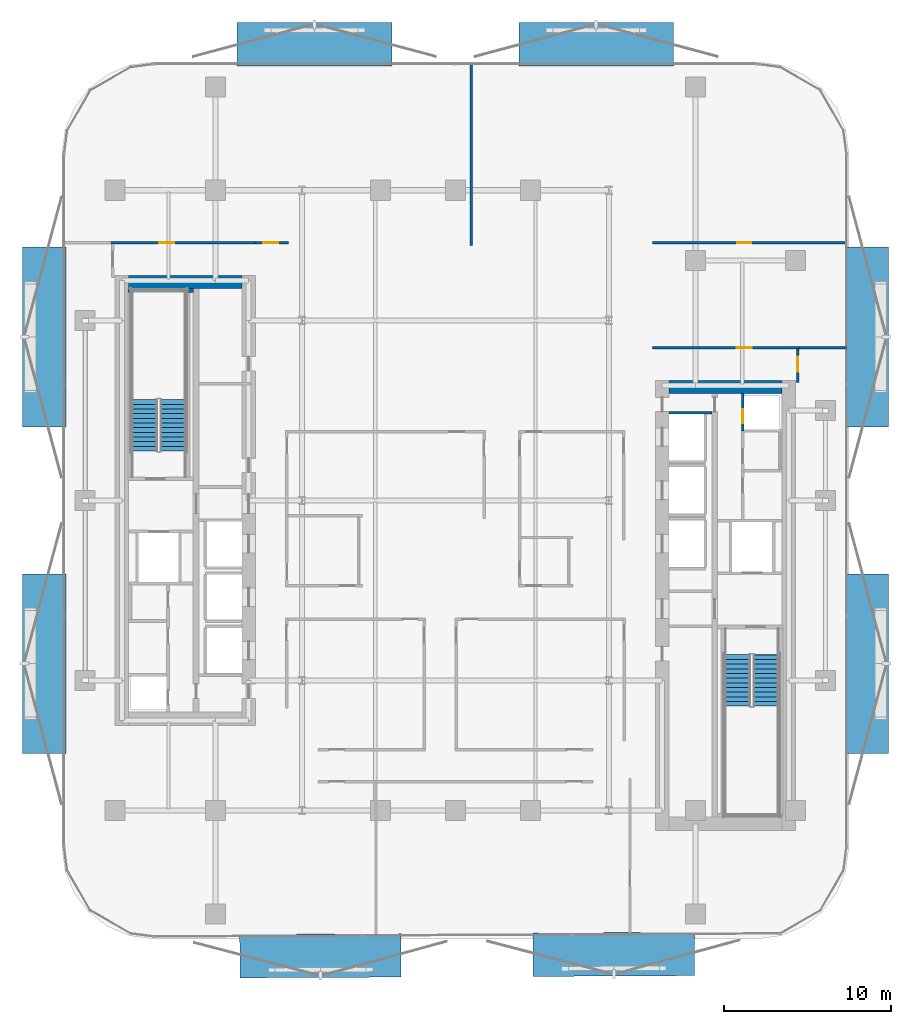
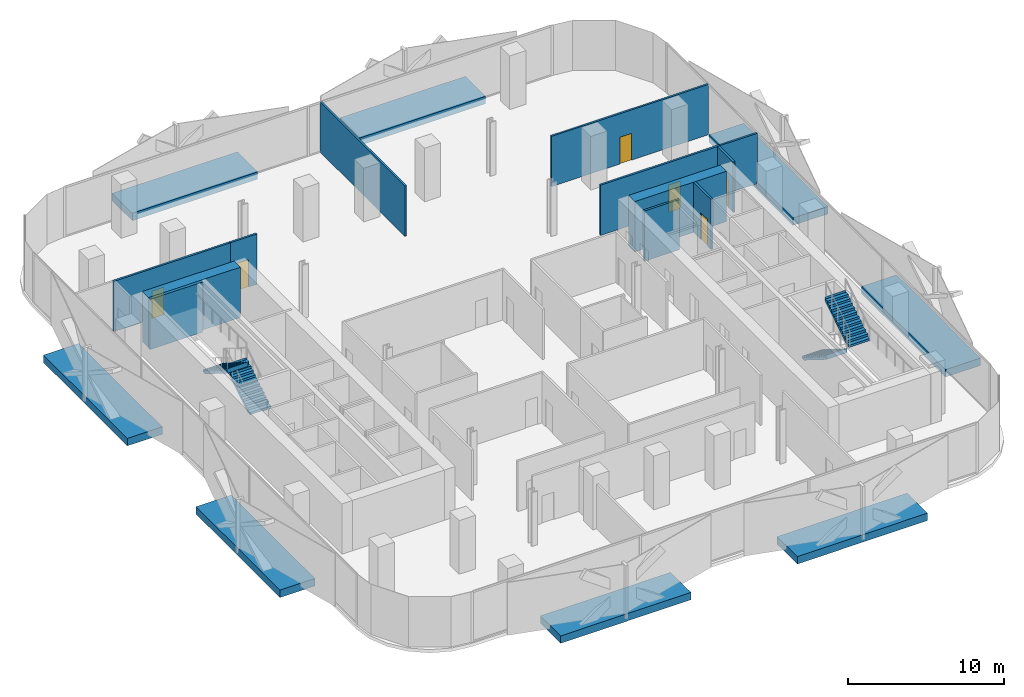
# One storey, part 6 of 15: 12 walls, 8 discrete accessories, 6 doors, 4 stair flights, 6 openings, 2 elements without a shape of their own.
"""IFC4 building model written with IfcOpenShell, lengths in metres."""

from ifc_helpers import new_model, si_unit, direction, frame, frame_2d, origin, origin_2d, place, context, subcontext, project, spatial, polyline, rectangle, outline, extrude, material, layer, layer_set, type_object, element, fill, aggregate, save


model = new_model("IFC4")

# Units and contexts
model_context = context("Model", 3, precision=1e-05, world=origin(), true_north=direction((0.0, 1.0)))
body_context = subcontext(model_context, "Body", "Model", "MODEL_VIEW")
ifc_project = project(units=[si_unit("LENGTHUNIT", "METRE"), si_unit("AREAUNIT", "SQUARE_METRE"), si_unit("VOLUMEUNIT", "CUBIC_METRE"), si_unit("PLANEANGLEUNIT", "RADIAN"), si_unit("MASSUNIT", "GRAM", prefix="KILO")], contexts=[model_context])

# Site, building, storey
site_placement = place(None, origin())
site = spatial("IfcSite", under=ifc_project, at=site_placement, CompositionType="ELEMENT")
building_placement = place(site_placement, origin())
building = spatial("IfcBuilding", under=site, at=building_placement, Name="Khairoan Windgate Tower", CompositionType="ELEMENT")
storey_placement = place(building_placement, frame((0.0, 0.0, 110.0)))
storey = spatial("IfcBuildingStorey", under=building, at=storey_placement, Name="L25", CompositionType="ELEMENT", Elevation=110.0)

# Walls
ifc_material_1 = material(Name="Concrete C40/50", Category="concrete")
ifc_layer_1 = layer(ifc_material_1, 0.159912109375, Name="Concrete C40/50")
ifc_layer_set_1 = layer_set([ifc_layer_1], Name="Concrete C40/50")
wall_type_1 = type_object("IfcWallType", Name="Core and Hoistway Enclosure Wall", PredefinedType="STANDARD", material=ifc_layer_set_1)
wall_1_placement = place(storey_placement, frame((12.800048828125, 5.25, 0.0), z_axis=(0.0, 0.0, 1.0), x_axis=(1.0, 0.0, 0.0)))
element("IfcWall", 1, at=wall_1_placement, inside=storey, type_object=wall_type_1, Name="L25 Core Shaft Wall SW-ESV-L25", PredefinedType="STANDARD", context=body_context, shape_type="SweptSolid", body=[
    extrude(rectangle(XDim=2.599853515625, YDim=0.159912109375, at=frame_2d((1.2998046875, 0.0))), origin(), (0.0, 0.0, 1.0), 3.93994140625),
])
ifc_material_2 = material(Name="Acoustic Fire-Rated Gypsum Partition", Category="gypsum")
ifc_layer_2 = layer(ifc_material_2, 0.139892578125, Name="Acoustic Fire-Rated Gypsum Partition")
ifc_layer_set_2 = layer_set([ifc_layer_2], Name="Acoustic Fire-Rated Gypsum Partition")
wall_type_2 = type_object("IfcWallType", Name="Inter-Tenancy Compartment Wall", PredefinedType="PARTITIONING", material=ifc_layer_set_2)
wall_2_placement = place(storey_placement, frame((20.639892578125, 9.159912109375, 0.0), z_axis=(0.0, 0.0, 1.0), x_axis=(1.0, 0.0, 0.0)))
element("IfcWall", 2, at=wall_2_placement, inside=storey, type_object=wall_type_2, Name="L25 Interior Partition 038", PredefinedType="PARTITIONING", context=body_context, shape_type="SweptSolid", body=[
    extrude(rectangle(XDim=2.815185546875, YDim=0.139892578125, at=frame_2d((1.40771484375, 0.0))), origin(), (0.0, 0.0, 1.0), 3.93994140625),
])

# Wall, opening, door
wall_3_placement = place(storey_placement, frame((11.81005859375, 15.4599609375, 0.0), z_axis=(0.0, 0.0, 1.0), x_axis=(1.0, 0.0, 0.0)))
wall_3 = element("IfcWall", 3, at=wall_3_placement, inside=storey, type_object=wall_type_2, Name="L25 Interior Partition 039", PredefinedType="PARTITIONING", context=body_context, shape_type="SweptSolid", body=[
    extrude(rectangle(XDim=11.64501953125, YDim=0.139892578125, at=frame_2d((5.822509765625, 0.0))), origin(), (0.0, 0.0, 1.0), 3.93994140625),
])
opening_1_placement = place(wall_3_placement, frame((5.09521484375, 0.0, 0.0)))
opening_1 = element("IfcOpeningElement", 4, at=opening_1_placement, cuts=wall_3, Name="Opening FD-SRV", PredefinedType="OPENING", context=body_context, shape_type="SweptSolid", body=[
    extrude(rectangle(XDim=0.85009765625, YDim=2.10009765625, at=frame_2d((0.425048828125, 1.050048828125))), frame((0.0, 0.079833984375, 0.0), z_axis=(0.0, -1.0, 0.0), x_axis=(1.0, 0.0, 0.0)), (0.0, 0.0, 1.0), 0.159912109375),
])
ifc_material_3 = material(Name="Steel S355", Category="steel")
door_type_1 = type_object("IfcDoorType", Name="Core Service and Riser Fire Door FD-SRV 850x2100", OperationType="NOTDEFINED", PredefinedType="DOOR", material=ifc_material_3)
door_1_placement = place(opening_1_placement, origin())
door_1 = element("IfcDoor", 5, at=door_1_placement, inside=storey, type_object=door_type_1, Name="L25 L25-39-L25-41 Door", OperationType="SINGLE_SWING_LEFT", OverallHeight=2.10009765625, OverallWidth=0.85009765625, PredefinedType="DOOR", context=body_context, shape_type="SweptSolid", body=[
    extrude(rectangle(XDim=0.85009765625, YDim=2.10009765625, at=frame_2d((0.425048828125, 1.050048828125))), frame((0.0, 0.02490234375, 0.0), z_axis=(0.0, -1.0, 0.0), x_axis=(1.0, 0.0, 0.0)), (0.0, 0.0, 1.0), 0.050048828125),
])
fill(opening_1, door_1)

# Wall
wall_4_placement = place(storey_placement, frame((0.951904296875, 15.280029296875, 0.0), z_axis=(0.0, 0.0, 1.0), x_axis=(0.0, 1.0, 0.0)))
element("IfcWall", 6, at=wall_4_placement, inside=storey, type_object=wall_type_2, Name="L25 Interior Partition 040", PredefinedType="PARTITIONING", context=body_context, shape_type="SweptSolid", body=[
    extrude(rectangle(XDim=10.875, YDim=0.139892578125, at=frame_2d((5.4375, 0.0))), origin(), (0.0, 0.0, 1.0), 3.93994140625),
])

# Wall, opening, door
ifc_material_4 = material(Name="Concrete C40/50", Category="concrete")
ifc_layer_3 = layer(ifc_material_4, 0.159912109375, Name="Concrete C40/50")
ifc_layer_set_3 = layer_set([ifc_layer_3], Name="Concrete C40/50")
wall_type_3 = type_object("IfcWallType", Name="Plant and Refuge Compartment Wall", PredefinedType="PARTITIONING", material=ifc_layer_set_3)
wall_5_placement = place(storey_placement, frame((17.22998046875, 4.169921875, 0.0), z_axis=(0.0, 0.0, 1.0), x_axis=(0.0, 1.0, 0.0)))
wall_5 = element("IfcWall", 7, at=wall_5_placement, inside=storey, type_object=wall_type_3, Name="L25 Interior Partition 007", PredefinedType="PARTITIONING", context=body_context, shape_type="SweptSolid", body=[
    extrude(rectangle(XDim=2.22998046875, YDim=0.159912109375, at=frame_2d((1.114990234375, 0.0))), origin(), (0.0, 0.0, 1.0), 3.93994140625),
])
opening_2_placement = place(wall_5_placement, frame((0.4599609375, 0.0, 0.0)))
opening_2 = element("IfcOpeningElement", 8, at=opening_2_placement, cuts=wall_5, Name="Opening FD-SRV", PredefinedType="OPENING", context=body_context, shape_type="SweptSolid", body=[
    extrude(rectangle(XDim=0.85009765625, YDim=2.10009765625, at=frame_2d((0.425048828125, 1.050048828125))), frame((0.0, 0.08984375, 0.0), z_axis=(0.0, -1.0, 0.0), x_axis=(1.0, 0.0, 0.0)), (0.0, 0.0, 1.0), 0.179931640625),
])
door_2_placement = place(opening_2_placement, origin())
door_2 = element("IfcDoor", 9, at=door_2_placement, inside=storey, type_object=door_type_1, Name="L25 L25-18-L25-19 Door", OperationType="SINGLE_SWING_LEFT", OverallHeight=2.10009765625, OverallWidth=0.85009765625, PredefinedType="DOOR", context=body_context, shape_type="SweptSolid", body=[
    extrude(rectangle(XDim=0.85009765625, YDim=2.10009765625, at=frame_2d((0.425048828125, 1.050048828125))), frame((0.0, 0.02490234375, 0.0), z_axis=(0.0, -1.0, 0.0), x_axis=(1.0, 0.0, 0.0)), (0.0, 0.0, 1.0), 0.050048828125),
])
fill(opening_2, door_2)

ifc_material_5 = material(Name="Acoustic Fire-Rated Gypsum Partition", Category="gypsum")
ifc_layer_4 = layer(ifc_material_5, 0.14990234375, Name="Acoustic Fire-Rated Gypsum Partition")
ifc_layer_set_4 = layer_set([ifc_layer_4], Name="Acoustic Fire-Rated Gypsum Partition")
wall_type_4 = type_object("IfcWallType", Name="Rated Corridor Partition Wall", PredefinedType="PARTITIONING", material=ifc_layer_set_4)
wall_6_placement = place(storey_placement, frame((-11.989990234375, 15.4599609375, 0.0), z_axis=(0.0, 0.0, 1.0), x_axis=(1.0, 0.0, 0.0)))
wall_6 = element("IfcWall", 10, at=wall_6_placement, inside=storey, type_object=wall_type_4, Name="L25 Interior Partition 012", PredefinedType="PARTITIONING", context=body_context, shape_type="SweptSolid", body=[
    extrude(rectangle(XDim=1.97998046875, YDim=0.14990234375, at=frame_2d((0.989990234375, 0.0))), origin(), (0.0, 0.0, 1.0), 3.93994140625),
])
opening_3_placement = place(wall_6_placement, frame((0.4599609375, 0.0, 0.0)))
opening_3 = element("IfcOpeningElement", 11, at=opening_3_placement, cuts=wall_6, Name="Opening FD-ENT", PredefinedType="OPENING", context=body_context, shape_type="SweptSolid", body=[
    extrude(rectangle(XDim=0.89990234375, YDim=2.14990234375, at=frame_2d((0.449951171875, 1.074951171875))), frame((0.0, 0.0849609375, 0.0), z_axis=(0.0, -1.0, 0.0), x_axis=(1.0, 0.0, 0.0)), (0.0, 0.0, 1.0), 0.169921875),
])
ifc_material_6 = material(Name="Timber Fire-Rated Core", Category="wood")
door_type_2 = type_object("IfcDoorType", Name="Unit and Office Fire Entrance Door FD-ENT 900x2150", OperationType="NOTDEFINED", PredefinedType="DOOR", material=ifc_material_6)
door_3_placement = place(opening_3_placement, origin())
door_3 = element("IfcDoor", 12, at=door_3_placement, inside=storey, type_object=door_type_2, Name="L25 L25-28-L25-40 Door", OperationType="SINGLE_SWING_RIGHT", OverallHeight=2.14990234375, OverallWidth=0.89990234375, PredefinedType="DOOR", context=body_context, shape_type="SweptSolid", body=[
    extrude(rectangle(XDim=0.89990234375, YDim=2.14990234375, at=frame_2d((0.449951171875, 1.074951171875))), frame((0.0, 0.02490234375, 0.0), z_axis=(0.0, -1.0, 0.0), x_axis=(1.0, 0.0, 0.0)), (0.0, 0.0, 1.0), 0.050048828125),
])
fill(opening_3, door_3)

wall_7_placement = place(storey_placement, frame((-20.639892578125, 15.4599609375, 0.0), z_axis=(0.0, 0.0, 1.0), x_axis=(1.0, 0.0, 0.0)))
wall_7 = element("IfcWall", 13, at=wall_7_placement, inside=storey, type_object=wall_type_4, Name="L25 Interior Partition 028", PredefinedType="PARTITIONING", context=body_context, shape_type="SweptSolid", body=[
    extrude(rectangle(XDim=8.64990234375, YDim=0.14990234375, at=frame_2d((4.324951171875, 0.0))), origin(), (0.0, 0.0, 1.0), 3.93994140625),
])
opening_4_placement = place(wall_7_placement, frame((2.87060546875, 0.0, 0.0)))
opening_4 = element("IfcOpeningElement", 14, at=opening_4_placement, cuts=wall_7, Name="Opening FD-ENT", PredefinedType="OPENING", context=body_context, shape_type="SweptSolid", body=[
    extrude(rectangle(XDim=0.89990234375, YDim=2.14990234375, at=frame_2d((0.449951171875, 1.074951171875))), frame((0.0, 0.0849609375, 0.0), z_axis=(0.0, -1.0, 0.0), x_axis=(1.0, 0.0, 0.0)), (0.0, 0.0, 1.0), 0.169921875),
])
door_4_placement = place(opening_4_placement, origin())
door_4 = element("IfcDoor", 15, at=door_4_placement, inside=storey, type_object=door_type_2, Name="L25 L25-33-L25-40 Door", OperationType="SINGLE_SWING_RIGHT", OverallHeight=2.14990234375, OverallWidth=0.89990234375, PredefinedType="DOOR", context=body_context, shape_type="SweptSolid", body=[
    extrude(rectangle(XDim=0.89990234375, YDim=2.14990234375, at=frame_2d((0.449951171875, 1.074951171875))), frame((0.0, 0.02490234375, 0.0), z_axis=(0.0, -1.0, 0.0), x_axis=(1.0, 0.0, 0.0)), (0.0, 0.0, 1.0), 0.050048828125),
])
fill(opening_4, door_4)

wall_8_placement = place(storey_placement, frame((20.5400390625, 7.06005859375, 0.0), z_axis=(0.0, 0.0, 1.0), x_axis=(0.0, 1.0, 0.0)))
wall_8 = element("IfcWall", 16, at=wall_8_placement, inside=storey, type_object=wall_type_4, Name="L25 Interior Partition 029", PredefinedType="PARTITIONING", context=body_context, shape_type="SweptSolid", body=[
    extrude(rectangle(XDim=2.02490234375, YDim=0.14990234375, at=frame_2d((1.012451171875, 0.0))), origin(), (0.0, 0.0, 1.0), 3.93994140625),
])
opening_5_placement = place(wall_8_placement, frame((0.6650390625, 0.0, 0.0)))
opening_5 = element("IfcOpeningElement", 17, at=opening_5_placement, cuts=wall_8, Name="Opening FD-ENT", PredefinedType="OPENING", context=body_context, shape_type="SweptSolid", body=[
    extrude(rectangle(XDim=0.89990234375, YDim=2.14990234375, at=frame_2d((0.449951171875, 1.074951171875))), frame((0.0, 0.0849609375, 0.0), z_axis=(0.0, -1.0, 0.0), x_axis=(1.0, 0.0, 0.0)), (0.0, 0.0, 1.0), 0.169921875),
])
door_5_placement = place(opening_5_placement, origin())
door_5 = element("IfcDoor", 18, at=door_5_placement, inside=storey, type_object=door_type_2, Name="L25 L25-34-L25-38 Door", OperationType="SINGLE_SWING_LEFT", OverallHeight=2.14990234375, OverallWidth=0.89990234375, PredefinedType="DOOR", context=body_context, shape_type="SweptSolid", body=[
    extrude(rectangle(XDim=0.89990234375, YDim=2.14990234375, at=frame_2d((0.449951171875, 1.074951171875))), frame((0.0, 0.02490234375, 0.0), z_axis=(0.0, -1.0, 0.0), x_axis=(1.0, 0.0, 0.0)), (0.0, 0.0, 1.0), 0.050048828125),
])
fill(opening_5, door_5)

wall_9_placement = place(storey_placement, frame((11.81005859375, 9.159912109375, 0.0), z_axis=(0.0, 0.0, 1.0), x_axis=(1.0, 0.0, 0.0)))
wall_9 = element("IfcWall", 19, at=wall_9_placement, inside=storey, type_object=wall_type_4, Name="L25 Interior Partition 030", PredefinedType="PARTITIONING", context=body_context, shape_type="SweptSolid", body=[
    extrude(rectangle(XDim=8.829833984375, YDim=0.14990234375, at=frame_2d((4.4150390625, 0.0))), origin(), (0.0, 0.0, 1.0), 3.93994140625),
])
opening_6_placement = place(wall_9_placement, frame((5.066650390625, 0.0, 0.0)))
opening_6 = element("IfcOpeningElement", 20, at=opening_6_placement, cuts=wall_9, Name="Opening FD-ENT", PredefinedType="OPENING", context=body_context, shape_type="SweptSolid", body=[
    extrude(rectangle(XDim=0.89990234375, YDim=2.14990234375, at=frame_2d((0.449951171875, 1.074951171875))), frame((0.0, 0.0849609375, 0.0), z_axis=(0.0, -1.0, 0.0), x_axis=(1.0, 0.0, 0.0)), (0.0, 0.0, 1.0), 0.169921875),
])
door_6_placement = place(opening_6_placement, origin())
door_6 = element("IfcDoor", 21, at=door_6_placement, inside=storey, type_object=door_type_2, Name="L25 L25-34-L25-39 Door", OperationType="SINGLE_SWING_RIGHT", OverallHeight=2.14990234375, OverallWidth=0.89990234375, PredefinedType="DOOR", context=body_context, shape_type="SweptSolid", body=[
    extrude(rectangle(XDim=0.89990234375, YDim=2.14990234375, at=frame_2d((0.449951171875, 1.074951171875))), frame((0.0, 0.02490234375, 0.0), z_axis=(0.0, -1.0, 0.0), x_axis=(1.0, 0.0, 0.0)), (0.0, 0.0, 1.0), 0.050048828125),
])
fill(opening_6, door_6)

# Walls
ifc_material_7 = material(Name="Concrete C70/85", Category="concrete")
ifc_layer_5 = layer(ifc_material_7, 0.800048828125, Name="Concrete C70/85")
ifc_layer_set_5 = layer_set([ifc_layer_5], Name="Concrete C70/85")
wall_type_5 = type_object("IfcWallType", Name="Shear Wall CW-E1 800mm", PredefinedType="SHEAR", material=ifc_layer_set_5)
wall_10_placement = place(storey_placement, frame((12.800048828125, 6.800048828125, 0.0), z_axis=(0.0, 0.0, 1.0), x_axis=(1.0, 0.0, 0.0)))
element("IfcWall", 22, at=wall_10_placement, inside=storey, type_object=wall_type_5, Name="E Core North Shear Wall L25", PredefinedType="SHEAR", context=body_context, shape_type="SweptSolid", body=[
    extrude(rectangle(XDim=6.800048828125, YDim=0.800048828125, at=frame_2d((3.39990234375, 0.0))), origin(), (0.0, 0.0, 1.0), 3.93994140625),
])
ifc_material_8 = material(Name="Concrete C70/85", Category="concrete")
ifc_layer_6 = layer(ifc_material_8, 0.800048828125, Name="Concrete C70/85")
ifc_layer_set_6 = layer_set([ifc_layer_6], Name="Concrete C70/85")
wall_type_6 = type_object("IfcWallType", Name="Shear Wall CW-W1 800mm", PredefinedType="SHEAR", material=ifc_layer_set_6)
wall_11_placement = place(storey_placement, frame((-19.60009765625, 13.10009765625, 0.0), z_axis=(0.0, 0.0, 1.0), x_axis=(1.0, 0.0, 0.0)))
element("IfcWall", 23, at=wall_11_placement, inside=storey, type_object=wall_type_6, Name="W Core North Shear Wall L25", PredefinedType="SHEAR", context=body_context, shape_type="SweptSolid", body=[
    extrude(rectangle(XDim=6.800048828125, YDim=0.800048828125, at=frame_2d((3.39990234375, 0.0))), origin(), (0.0, 0.0, 1.0), 3.93994140625),
])
ifc_material_9 = material(Name="Concrete C50/60", Category="concrete")
ifc_layer_7 = layer(ifc_material_9, 0.219970703125, Name="Concrete C50/60")
ifc_layer_set_7 = layer_set([ifc_layer_7], Name="Concrete C50/60")
wall_type_7 = type_object("IfcWallType", Name="Shear Wall SW-ST 220mm", PredefinedType="SHEAR", material=ifc_layer_set_7)
wall_12_placement = place(storey_placement, frame((-19.6201171875, 12.590087890625, 0.0), z_axis=(0.0, 0.0, 1.0), x_axis=(1.0, 0.0, 0.0)))
element("IfcWall", 24, at=wall_12_placement, inside=storey, type_object=wall_type_7, Name="L25 Stair ST2 North Bearing Wall", PredefinedType="SHEAR", context=body_context, shape_type="SweptSolid", body=[
    extrude(rectangle(XDim=3.9150390625, YDim=0.219970703125, at=frame_2d((1.95751953125, 0.0))), origin(), (0.0, 0.0, 1.0), 3.93994140625),
])

# Stair, stair flights
ifc_material_10 = material(Name="Concrete C40/50", Category="concrete")
stair_type = type_object("IfcStairType", Name="Tower Core Dog-Leg Stair ST-T1 1560mm", PredefinedType="HALF_TURN_STAIR", material=ifc_material_10)
stair_1_placement = place(storey_placement, origin())
stair_1 = element("IfcStair", 25, at=stair_1_placement, inside=storey, type_object=stair_type, Name="L25 Stair ST1", PredefinedType="HALF_TURN_STAIR")
ifc_material_11 = material(Name="Concrete C40/50", Category="concrete")
ifc_layer_8 = layer(ifc_material_11, 0.14990234375, Name="Concrete C40/50")
ifc_layer_set_8 = layer_set([ifc_layer_8], Name="Concrete C40/50")
stair_flight_type = type_object("IfcStairFlightType", Name="Tower Core Stair Flight STF-1560", PredefinedType="STRAIGHT", material=ifc_layer_set_8)
stair_flight_1_placement = place(storey_placement, frame((16.929931640625, -9.260009765625, 0.0), z_axis=(0.0, 0.0, 1.0), x_axis=(0.0, -1.0, 0.0)))
stair_flight_1 = element("IfcStairFlight", 26, at=stair_flight_1_placement, type_object=stair_flight_type, Name="ST1 flight 1", NumberOfRisers=12, NumberOfTreads=11, PredefinedType="STRAIGHT", RiserHeight=0.175, TreadLength=0.28, context=body_context, shape_type="SweptSolid", body=[
    extrude(outline(polyline([(-0.00390625, 0.0), (-0.00390625, 0.175048828125), (0.0, 0.175048828125), (0.280029296875, 0.175048828125), (0.280029296875, 0.35009765625), (0.56005859375, 0.35009765625), (0.56005859375, 0.52490234375), (0.840087890625, 0.52490234375), (0.840087890625, 0.699951171875), (1.1201171875, 0.699951171875), (1.1201171875, 0.875), (1.39990234375, 0.875), (1.39990234375, 1.050048828125), (1.679931640625, 1.050048828125), (1.679931640625, 1.22509765625), (1.9599609375, 1.22509765625), (1.9599609375, 1.39990234375), (2.239990234375, 1.39990234375), (2.239990234375, 1.574951171875), (2.52001953125, 1.574951171875), (2.52001953125, 1.75), (2.800048828125, 1.75), (2.800048828125, 1.925048828125), (3.080078125, 1.925048828125), (3.080078125, 2.10009765625), (3.083984375, 2.10009765625), (3.083984375, 1.748291015625), (0.28271484375, 0.0), (-0.00390625, 0.0)])), frame((0.0, 0.780029296875, 0.0), z_axis=(0.0, -1.0, 0.0), x_axis=(1.0, 0.0, 0.0)), (0.0, 0.0, 1.0), 1.56005859375),
])
stair_flight_2_placement = place(storey_placement, frame((18.639892578125, -12.340087890625, 2.10009765625), z_axis=(0.0, 0.0, 1.0), x_axis=(0.0, 1.0, 0.0)))
stair_flight_2 = element("IfcStairFlight", 27, at=stair_flight_2_placement, type_object=stair_flight_type, Name="ST1 flight 2", NumberOfRisers=12, NumberOfTreads=11, PredefinedType="STRAIGHT", RiserHeight=0.175, TreadLength=0.28, context=body_context, shape_type="SweptSolid", body=[
    extrude(outline(polyline([(-0.00390625, 0.0), (-0.00390625, 0.175048828125), (0.0, 0.175048828125), (0.280029296875, 0.175048828125), (0.280029296875, 0.35009765625), (0.56005859375, 0.35009765625), (0.56005859375, 0.52490234375), (0.840087890625, 0.52490234375), (0.840087890625, 0.699951171875), (1.1201171875, 0.699951171875), (1.1201171875, 0.875), (1.39990234375, 0.875), (1.39990234375, 1.050048828125), (1.679931640625, 1.050048828125), (1.679931640625, 1.22509765625), (1.9599609375, 1.22509765625), (1.9599609375, 1.39990234375), (2.239990234375, 1.39990234375), (2.239990234375, 1.574951171875), (2.52001953125, 1.574951171875), (2.52001953125, 1.75), (2.800048828125, 1.75), (2.800048828125, 1.925048828125), (3.080078125, 1.925048828125), (3.080078125, 2.10009765625), (3.083984375, 2.10009765625), (3.083984375, 1.748291015625), (0.28271484375, 0.0), (-0.00390625, 0.0)])), frame((0.0, 0.780029296875, 0.0), z_axis=(0.0, -1.0, 0.0), x_axis=(1.0, 0.0, 0.0)), (0.0, 0.0, 1.0), 1.56005859375),
])
aggregate(stair_1, [stair_flight_1, stair_flight_2])

stair_2_placement = place(storey_placement, origin())
stair_2 = element("IfcStair", 28, at=stair_2_placement, inside=storey, type_object=stair_type, Name="L25 Stair ST2", PredefinedType="HALF_TURN_STAIR")
stair_flight_3_placement = place(storey_placement, frame((-16.929931640625, 2.9599609375, 0.0), z_axis=(0.0, 0.0, 1.0), x_axis=(0.0, 1.0, 0.0)))
stair_flight_3 = element("IfcStairFlight", 29, at=stair_flight_3_placement, type_object=stair_flight_type, Name="ST2 flight 1", NumberOfRisers=12, NumberOfTreads=11, PredefinedType="STRAIGHT", RiserHeight=0.175, TreadLength=0.28, context=body_context, shape_type="SweptSolid", body=[
    extrude(outline(polyline([(-0.00390625, 0.0), (-0.00390625, 0.175048828125), (0.0, 0.175048828125), (0.280029296875, 0.175048828125), (0.280029296875, 0.35009765625), (0.56005859375, 0.35009765625), (0.56005859375, 0.52490234375), (0.840087890625, 0.52490234375), (0.840087890625, 0.699951171875), (1.1201171875, 0.699951171875), (1.1201171875, 0.875), (1.39990234375, 0.875), (1.39990234375, 1.050048828125), (1.679931640625, 1.050048828125), (1.679931640625, 1.22509765625), (1.9599609375, 1.22509765625), (1.9599609375, 1.39990234375), (2.239990234375, 1.39990234375), (2.239990234375, 1.574951171875), (2.52001953125, 1.574951171875), (2.52001953125, 1.75), (2.800048828125, 1.75), (2.800048828125, 1.925048828125), (3.080078125, 1.925048828125), (3.080078125, 2.10009765625), (3.083984375, 2.10009765625), (3.083984375, 1.748291015625), (0.28271484375, 0.0), (-0.00390625, 0.0)])), frame((0.0, 0.780029296875, 0.0), z_axis=(0.0, -1.0, 0.0), x_axis=(1.0, 0.0, 0.0)), (0.0, 0.0, 1.0), 1.56005859375),
])
stair_flight_4_placement = place(storey_placement, frame((-18.639892578125, 6.0400390625, 2.10009765625), z_axis=(0.0, 0.0, 1.0), x_axis=(0.0, -1.0, 0.0)))
stair_flight_4 = element("IfcStairFlight", 30, at=stair_flight_4_placement, type_object=stair_flight_type, Name="ST2 flight 2", NumberOfRisers=12, NumberOfTreads=11, PredefinedType="STRAIGHT", RiserHeight=0.175, TreadLength=0.28, context=body_context, shape_type="SweptSolid", body=[
    extrude(outline(polyline([(-0.00390625, 0.0), (-0.00390625, 0.175048828125), (0.0, 0.175048828125), (0.280029296875, 0.175048828125), (0.280029296875, 0.35009765625), (0.56005859375, 0.35009765625), (0.56005859375, 0.52490234375), (0.840087890625, 0.52490234375), (0.840087890625, 0.699951171875), (1.1201171875, 0.699951171875), (1.1201171875, 0.875), (1.39990234375, 0.875), (1.39990234375, 1.050048828125), (1.679931640625, 1.050048828125), (1.679931640625, 1.22509765625), (1.9599609375, 1.22509765625), (1.9599609375, 1.39990234375), (2.239990234375, 1.39990234375), (2.239990234375, 1.574951171875), (2.52001953125, 1.574951171875), (2.52001953125, 1.75), (2.800048828125, 1.75), (2.800048828125, 1.925048828125), (3.080078125, 1.925048828125), (3.080078125, 2.10009765625), (3.083984375, 2.10009765625), (3.083984375, 1.748291015625), (0.28271484375, 0.0), (-0.00390625, 0.0)])), frame((0.0, 0.780029296875, 0.0), z_axis=(0.0, -1.0, 0.0), x_axis=(1.0, 0.0, 0.0)), (0.0, 0.0, 1.0), 1.56005859375),
])
aggregate(stair_2, [stair_flight_3, stair_flight_4])

# Discrete accessories
ifc_material_12 = material(Name="Steel S355", Category="steel")
discrete_accessory_type = type_object("IfcDiscreteAccessoryType", Name="Solar Screen Outrigger Slab Bracket SSB-1", PredefinedType="BRACKET", material=ifc_material_12)
for number, where, z_axis, x_axis, name in (
    (31, (9.498291015625, -27.22509765625, -0.419921875), (0.0, 0.0, 1.0), (-0.999988059021, -0.004886902454, 0.0), "L25 Solar Screen Outrigger Bracket 145"),
    (32, (-8.090576171875, -27.31103515625, -0.419921875), (0.0, 0.0, 1.0), (-0.999988059021, -0.004886902454, 0.0), "L25 Solar Screen Outrigger Bracket 146"),
):
    element("IfcDiscreteAccessory", number, at=place(storey_placement, frame(where, z_axis=z_axis, x_axis=x_axis)), inside=storey, type_object=discrete_accessory_type, Name=name, PredefinedType="BRACKET", context=body_context, shape_type="SweptSolid", body=[
        extrude(rectangle(XDim=9.674072265625, YDim=2.60009765625, at=origin_2d()), origin(), (0.0, 0.0, 1.0), 0.580078125),
    ])
for number, where, z_axis, x_axis, name in (
    (33, (-24.659912109375, -9.79541015625, -0.419921875), (0.0, 0.0, 1.0), (0.0, 1.0, 0.0), "L25 Solar Screen Outrigger Bracket 147"),
    (34, (-24.659912109375, 9.79541015625, -0.419921875), (0.0, 0.0, 1.0), (0.0, 1.0, 0.0), "L25 Solar Screen Outrigger Bracket 148"),
):
    element("IfcDiscreteAccessory", number, at=place(storey_placement, frame(where, z_axis=z_axis, x_axis=x_axis)), inside=storey, type_object=discrete_accessory_type, Name=name, PredefinedType="BRACKET", context=body_context, shape_type="SweptSolid", body=[
        extrude(rectangle(XDim=10.77490234375, YDim=2.60009765625, at=origin_2d()), origin(), (0.0, 0.0, 1.0), 0.580078125),
    ])
for number, where, z_axis, x_axis, name in (
    (35, (-8.4453125, 27.360107421875, -0.419921875), (0.0, 0.0, 1.0), (1.0, 0.0, 0.0), "L25 Solar Screen Outrigger Bracket 149"),
    (36, (8.4453125, 27.360107421875, -0.419921875), (0.0, 0.0, 1.0), (1.0, 0.0, 0.0), "L25 Solar Screen Outrigger Bracket 150"),
):
    element("IfcDiscreteAccessory", number, at=place(storey_placement, frame(where, z_axis=z_axis, x_axis=x_axis)), inside=storey, type_object=discrete_accessory_type, Name=name, PredefinedType="BRACKET", context=body_context, shape_type="SweptSolid", body=[
        extrude(rectangle(XDim=9.2900390625, YDim=2.60009765625, at=origin_2d()), origin(), (0.0, 0.0, 1.0), 0.580078125),
    ])
for number, where, z_axis, x_axis, name in (
    (37, (24.659912109375, 9.79541015625, -0.419921875), (0.0, 0.0, 1.0), (0.0, -1.0, 0.0), "L25 Solar Screen Outrigger Bracket 151"),
    (38, (24.659912109375, -9.79541015625, -0.419921875), (0.0, 0.0, 1.0), (0.0, -1.0, 0.0), "L25 Solar Screen Outrigger Bracket 152"),
):
    element("IfcDiscreteAccessory", number, at=place(storey_placement, frame(where, z_axis=z_axis, x_axis=x_axis)), inside=storey, type_object=discrete_accessory_type, Name=name, PredefinedType="BRACKET", context=body_context, shape_type="SweptSolid", body=[
        extrude(rectangle(XDim=10.77490234375, YDim=2.60009765625, at=origin_2d()), origin(), (0.0, 0.0, 1.0), 0.580078125),
    ])

save(model, "model.ifc")
